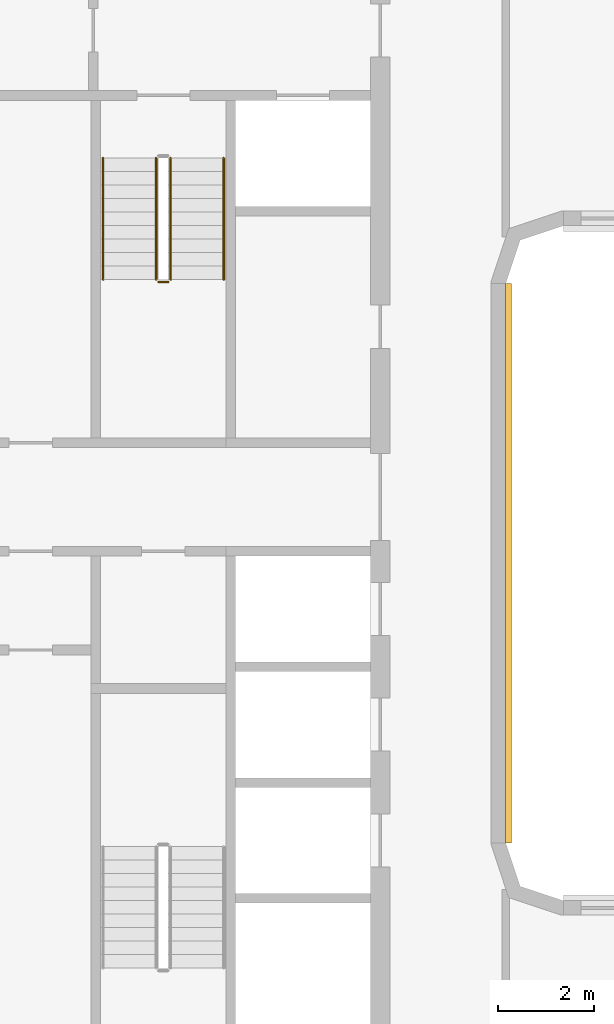
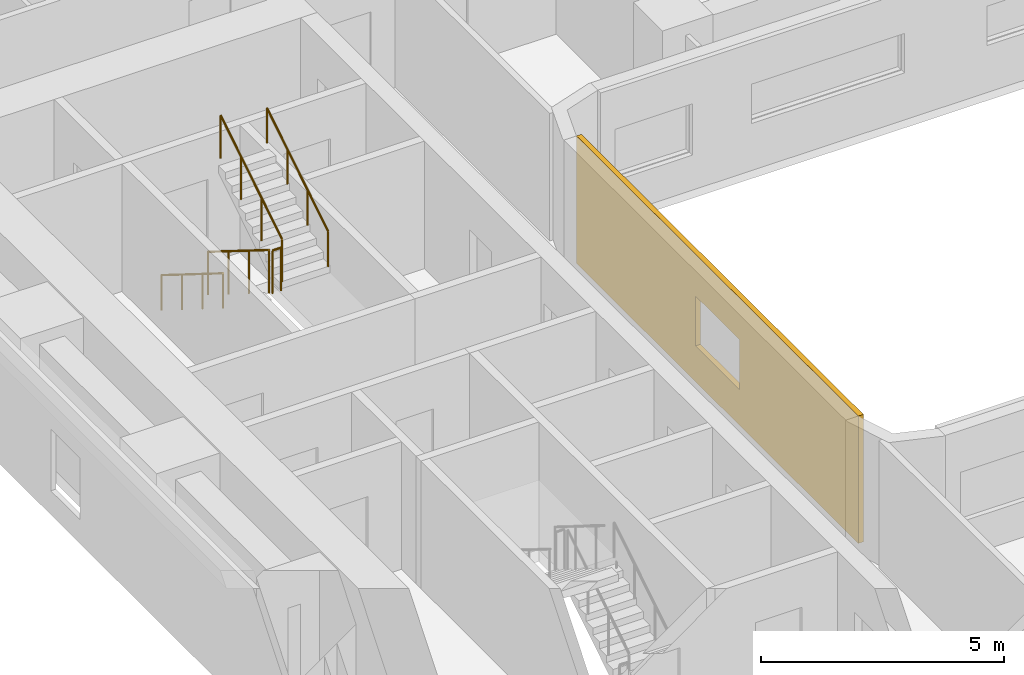
# One storey, part 14 of 20: 5 railings, 1 covering.
"""IFC4 building model written with IfcOpenShell, lengths in metres."""

from ifc_helpers import new_model, si_unit, direction, frame, origin, origin_2d, place, context, subcontext, project, spatial, polyline, circle, outline, extrude, material, layer, layer_set, type_object, element, save


model = new_model("IFC4")

# Units and contexts
model_context = context("Model", 3, precision=1e-05, world=origin(), true_north=direction((0.0, 1.0)))
body_context = subcontext(model_context, "Body", "Model", "MODEL_VIEW")
ifc_project = project(units=[si_unit("LENGTHUNIT", "METRE"), si_unit("AREAUNIT", "SQUARE_METRE"), si_unit("VOLUMEUNIT", "CUBIC_METRE"), si_unit("PLANEANGLEUNIT", "RADIAN"), si_unit("MASSUNIT", "GRAM", prefix="KILO")], contexts=[model_context])

# Site, building, storey
site_placement = place(None, origin())
site = spatial("IfcSite", under=ifc_project, at=site_placement, CompositionType="ELEMENT")
building_placement = place(site_placement, origin())
building = spatial("IfcBuilding", under=site, at=building_placement, Name="Kiln Ring Residences", CompositionType="ELEMENT")
storey_placement = place(building_placement, frame((0.0, 0.0, 37.5)))
storey = spatial("IfcBuildingStorey", under=building, at=storey_placement, Name="L08", CompositionType="ELEMENT", Elevation=37.5)

# Railings
ifc_material_1 = material(Name="Stainless steel", Category="steel")
railing_type_1 = type_object("IfcRailingType", Name="CORE-STAIR-GUARD", PredefinedType="GUARDRAIL", material=ifc_material_1)
railing_1_placement = place(storey_placement, frame((-22.25, 8.39990234375, 0.175048828125)))
element("IfcRailing", 1, at=railing_1_placement, inside=storey, type_object=railing_type_1, Name="L08 W-STN stair guard 1", PredefinedType="GUARDRAIL", context=body_context, shape_type="SweptSolid", body=[
    extrude(circle(Radius=0.02392578125, at=origin_2d()), frame((0.0, 0.0, 1.076171875), z_axis=(0.0, -0.848007534815, 0.529984170421), x_axis=(1.0, 0.0, 0.0)), (0.0, 0.0, 1.0), 2.9716796875),
    extrude(circle(Radius=0.02099609375, at=origin_2d()), origin(), (0.0, 0.0, 1.0), 1.052001953125),
    extrude(circle(Radius=0.02099609375, at=origin_2d()), frame((0.0, -0.840087890625, 0.52490234375)), (0.0, 0.0, 1.0), 1.052001953125),
    extrude(circle(Radius=0.02099609375, at=origin_2d()), frame((0.0, -1.679931640625, 1.050048828125)), (0.0, 0.0, 1.0), 1.052001953125),
    extrude(circle(Radius=0.02099609375, at=origin_2d()), frame((0.0, -2.52001953125, 1.574951171875)), (0.0, 0.0, 1.0), 1.052001953125),
])
railing_2_placement = place(storey_placement, frame((-22.199951171875, 5.830078125, 1.75)))
element("IfcRailing", 2, at=railing_2_placement, inside=storey, type_object=railing_type_1, Name="L08 W-STN stair guard 2", PredefinedType="GUARDRAIL", context=body_context, shape_type="SweptSolid", body=[
    extrude(circle(Radius=0.02392578125, at=origin_2d()), frame((0.0, 0.0, 1.076171875), z_axis=(1.0, 0.0, 0.0), x_axis=(0.0, 1.0, 0.0)), (0.0, 0.0, 1.0), 0.199951171875),
    extrude(circle(Radius=0.02099609375, at=origin_2d()), origin(), (0.0, 0.0, 1.0), 1.052001953125),
    extrude(circle(Radius=0.02099609375, at=origin_2d()), frame((0.199951171875, 0.0, 0.0)), (0.0, 0.0, 1.0), 1.052001953125),
])
railing_3_placement = place(storey_placement, frame((-21.949951171875, 5.8798828125, 1.925048828125)))
element("IfcRailing", 3, at=railing_3_placement, inside=storey, type_object=railing_type_1, Name="L08 W-STN stair guard 3", PredefinedType="GUARDRAIL", context=body_context, shape_type="SweptSolid", body=[
    extrude(circle(Radius=0.02392578125, at=origin_2d()), frame((0.0, 0.0, 1.076171875), z_axis=(0.0, 0.848007534815, 0.529984170421), x_axis=(-1.0, 0.0, 0.0)), (0.0, 0.0, 1.0), 2.9716796875),
    extrude(circle(Radius=0.02099609375, at=origin_2d()), origin(), (0.0, 0.0, 1.0), 1.052001953125),
    extrude(circle(Radius=0.02099609375, at=origin_2d()), frame((0.0, 0.840087890625, 0.52490234375)), (0.0, 0.0, 1.0), 1.052001953125),
    extrude(circle(Radius=0.02099609375, at=origin_2d()), frame((0.0, 1.679931640625, 1.050048828125)), (0.0, 0.0, 1.0), 1.052001953125),
    extrude(circle(Radius=0.02099609375, at=origin_2d()), frame((0.0, 2.52001953125, 1.574951171875)), (0.0, 0.0, 1.0), 1.052001953125),
])
ifc_material_2 = material(Name="Stainless steel", Category="steel")
railing_type_2 = type_object("IfcRailingType", Name="CORE-STAIR-HANDRAIL", PredefinedType="HANDRAIL", material=ifc_material_2)
railing_4_placement = place(storey_placement, frame((-23.35009765625, 8.39990234375, 0.175048828125)))
element("IfcRailing", 4, at=railing_4_placement, inside=storey, type_object=railing_type_2, Name="L08 W-STN stair handrail 1", PredefinedType="HANDRAIL", context=body_context, shape_type="SweptSolid", body=[
    extrude(circle(Radius=0.02392578125, at=origin_2d()), frame((0.0, 0.0, 0.8759765625), z_axis=(0.0, -0.848007534815, 0.529984170421), x_axis=(1.0, 0.0, 0.0)), (0.0, 0.0, 1.0), 2.9716796875),
    extrude(circle(Radius=0.02099609375, at=origin_2d()), origin(), (0.0, 0.0, 1.0), 0.851806640625),
    extrude(circle(Radius=0.02099609375, at=origin_2d()), frame((0.0, -0.840087890625, 0.52490234375)), (0.0, 0.0, 1.0), 0.851806640625),
    extrude(circle(Radius=0.02099609375, at=origin_2d()), frame((0.0, -1.679931640625, 1.050048828125)), (0.0, 0.0, 1.0), 0.851806640625),
    extrude(circle(Radius=0.02099609375, at=origin_2d()), frame((0.0, -2.52001953125, 1.574951171875)), (0.0, 0.0, 1.0), 0.851806640625),
])
railing_5_placement = place(storey_placement, frame((-20.85009765625, 5.8798828125, 1.925048828125)))
element("IfcRailing", 5, at=railing_5_placement, inside=storey, type_object=railing_type_2, Name="L08 W-STN stair handrail 2", PredefinedType="HANDRAIL", context=body_context, shape_type="SweptSolid", body=[
    extrude(circle(Radius=0.02392578125, at=origin_2d()), frame((0.0, 0.0, 0.8759765625), z_axis=(0.0, 0.848007534815, 0.529984170421), x_axis=(-1.0, 0.0, 0.0)), (0.0, 0.0, 1.0), 2.9716796875),
    extrude(circle(Radius=0.02099609375, at=origin_2d()), origin(), (0.0, 0.0, 1.0), 0.851806640625),
    extrude(circle(Radius=0.02099609375, at=origin_2d()), frame((0.0, 0.840087890625, 0.52490234375)), (0.0, 0.0, 1.0), 0.851806640625),
    extrude(circle(Radius=0.02099609375, at=origin_2d()), frame((0.0, 1.679931640625, 1.050048828125)), (0.0, 0.0, 1.0), 0.851806640625),
    extrude(circle(Radius=0.02099609375, at=origin_2d()), frame((0.0, 2.52001953125, 1.574951171875)), (0.0, 0.0, 1.0), 0.851806640625),
])

# Covering
ifc_material_3 = material(Name="Brick masonry, dark clay brick", Category="masonry")
ifc_layer = layer(ifc_material_3, 0.1201171875)
ifc_layer_set = layer_set([ifc_layer], Name="RAINSCREEN PANEL 120")
covering_type = type_object("IfcCoveringType", Name="RAINSCREEN PANEL 120", PredefinedType="CLADDING", material=ifc_layer_set)
covering_placement = place(storey_placement, frame((-14.93994140625, -5.800048828125, 0.0), z_axis=(0.0, 0.0, 1.0), x_axis=(0.0, 1.0, 0.0)))
element("IfcCovering", 6, at=covering_placement, inside=storey, type_object=covering_type, Name="RAINSCREEN L08", PredefinedType="CLADDING", context=body_context, shape_type="SweptSolid", body=[
    extrude(outline(polyline([(0.0, 0.0), (11.60009765625, 0.0), (11.60009765625, 3.199951171875), (0.0, 3.199951171875), (0.0, 0.0)]), holes=[polyline([(4.89990234375, 2.14990234375), (4.89990234375, 0.89990234375), (6.699951171875, 0.89990234375), (6.699951171875, 2.14990234375), (4.89990234375, 2.14990234375)])]), frame((0.0, 0.06005859375, 0.0), z_axis=(0.0, -1.0, 0.0), x_axis=(1.0, 0.0, 0.0)), (0.0, 0.0, 1.0), 0.1201171875),
])

save(model, "model.ifc")
